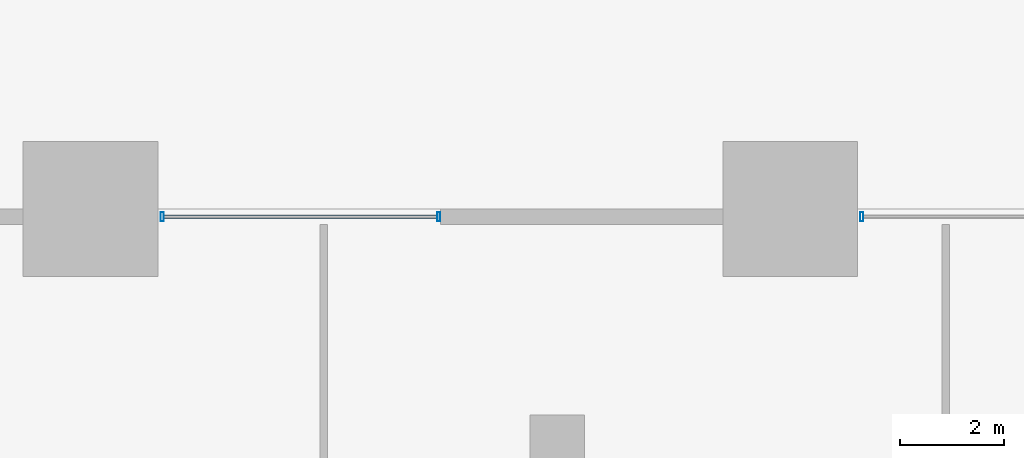
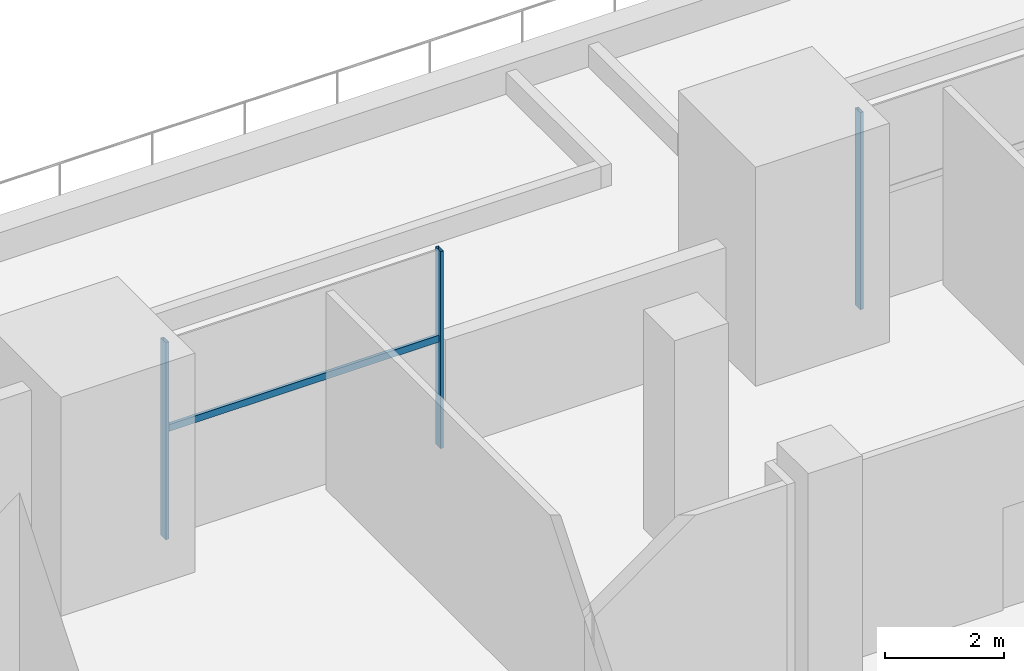
# One storey, part 6 of 26: 4 members, 2 elements without a shape of their own.
"""IFC4 building model written with IfcOpenShell, lengths in metres."""

import ifcopenshell
import ifcopenshell.guid

model = None  # the IFC model being written
_history = None  # IfcOwnerHistory: only IFC2X3 demands one
_inside = {}  # id of a spatial element -> (the spatial element, [elements in it])
_under = {}  # id of a project, library or spatial element -> (it, [spatial elements below it])
_declared = {}  # id of a project -> (the project, [libraries it declares])
_typed = {}  # id of a type object -> (the type object, [elements of that type])
_made_of = {}  # id of a material, layer set ... -> (it, [elements and type objects made of it])


def new_model(schema):
    """Start an empty IFC model of exactly this schema.

    Asked for "IFC4X3", IfcOpenShell would pick the latest addendum, in which some entities
    have other attributes; the version numbers below select the first issue.
    IFC2X3 requires an IfcOwnerHistory on every rooted entity: one is made here for all.
    """
    global model, _history
    if schema == "IFC4X3":
        model = ifcopenshell.file(schema_version=(4, 3, 0, 0))
    else:
        model = ifcopenshell.file(schema=schema)
    _inside.clear()
    _under.clear()
    _declared.clear()
    _typed.clear()
    _made_of.clear()
    _history = None
    if model.schema == "IFC2X3":
        org = make("IfcOrganization", Name="unknown")
        user = make(
            "IfcPersonAndOrganization",
            ThePerson=make("IfcPerson", FamilyName="unknown"),
            TheOrganization=org,
        )
        app = make(
            "IfcApplication",
            ApplicationDeveloper=org,
            Version="unknown",
            ApplicationFullName="unknown",
            ApplicationIdentifier="unknown",
        )
        _history = make(
            "IfcOwnerHistory",
            OwningUser=user,
            OwningApplication=app,
            ChangeAction="ADDED",
            CreationDate=0,
        )
    return model


def make(cls, **values):
    """One entity of the class cls with the attributes given. An attribute that is None is left unset."""
    return model.create_entity(
        cls, **{name: value for name, value in values.items() if value is not None}
    )


def rooted(cls, **values):
    """An entity with a GlobalId (a new one), such as an element, a storey or a relation."""
    return make(cls, GlobalId=ifcopenshell.guid.new(), OwnerHistory=_history, **values)


def si_unit(unit_type, name, prefix=None):
    """IfcSIUnit, for example si_unit("LENGTHUNIT", "METRE", prefix="MILLI")."""
    return make("IfcSIUnit", UnitType=unit_type, Prefix=prefix, Name=name)


def assignment(units):
    """IfcUnitAssignment: the units of a project."""
    return None if units is None else make("IfcUnitAssignment", Units=units)


def point(xyz):
    """IfcCartesianPoint."""
    return None if xyz is None else make("IfcCartesianPoint", Coordinates=xyz)


def direction(xyz):
    """IfcDirection."""
    return None if xyz is None else make("IfcDirection", DirectionRatios=xyz)


def frame(location, z_axis=None, x_axis=None):
    """IfcAxis2Placement3D, a coordinate frame: its origin and axes. An axis left out is left unset."""
    return make(
        "IfcAxis2Placement3D",
        Location=point(location),
        Axis=direction(z_axis),
        RefDirection=direction(x_axis),
    )


def frame_2d(location, x_axis=None):
    """IfcAxis2Placement2D, a coordinate frame in the plane: its origin and x axis."""
    return make(
        "IfcAxis2Placement2D", Location=point(location), RefDirection=direction(x_axis)
    )


def origin():
    """The frame at (0, 0, 0) with its axes left unset."""
    return frame((0.0, 0.0, 0.0))


def origin_2d():
    """The frame at (0, 0) in the plane with its x axis left unset."""
    return frame_2d((0.0, 0.0))


def place(relative_to, where):
    """IfcLocalPlacement: puts the frame where relative to a parent placement (None: the world)."""
    return make(
        "IfcLocalPlacement", PlacementRelTo=relative_to, RelativePlacement=where
    )


def context(
    kind, dimensions, precision=None, world=None, true_north=None, identifier=None
):
    """IfcGeometricRepresentationContext, for example the 3D "Model" context."""
    return make(
        "IfcGeometricRepresentationContext",
        ContextIdentifier=identifier,
        ContextType=kind,
        CoordinateSpaceDimension=dimensions,
        Precision=precision,
        WorldCoordinateSystem=world,
        TrueNorth=true_north,
    )


def subcontext(parent, identifier, kind, view, scale=None):
    """IfcGeometricRepresentationSubContext, for example "Body" below "Model"."""
    return make(
        "IfcGeometricRepresentationSubContext",
        ContextIdentifier=identifier,
        ContextType=kind,
        ParentContext=parent,
        TargetScale=scale,
        TargetView=view,
    )


def project(units=None, contexts=None):
    """IfcProject with its units and contexts."""
    return rooted(
        "IfcProject",
        Name="project",
        RepresentationContexts=contexts,
        UnitsInContext=assignment(units),
    )


def spatial(cls, under=None, at=None, **own):
    """A site, building, storey or space (cls), placed at a placement, below another one or the project."""
    s = rooted(cls, ObjectPlacement=at, **own)
    if under is not None:
        _under.setdefault(under.id(), (under, []))[1].append(s)
    return s


def profile(cls, at=None, kind="AREA", **sizes):
    """A parametric profile (cls). Its sizes go by their IFC names, for example OverallWidth=200.0."""
    return make(cls, ProfileType=kind, Position=at, **sizes)


def hollow_rectangle(**sizes):
    """IfcRectangleHollowProfileDef."""
    return profile("IfcRectangleHollowProfileDef", **sizes)


def extrude(swept, where, along, depth):
    """IfcExtrudedAreaSolid: the profile swept, set in the frame where, extruded along a direction by depth."""
    return make(
        "IfcExtrudedAreaSolid",
        SweptArea=swept,
        Position=where,
        ExtrudedDirection=direction(along),
        Depth=depth,
    )


def shape(context_of_items, identifier, shape_type, items):
    """IfcShapeRepresentation: the items that make up one representation, for example the "Body"."""
    return make(
        "IfcShapeRepresentation",
        ContextOfItems=context_of_items,
        RepresentationIdentifier=identifier,
        RepresentationType=shape_type,
        Items=items,
    )


def material(Name=None, Category=None):
    """IfcMaterial."""
    return make("IfcMaterial", Name=Name, Category=Category)


def material_profile(
    of_material, cross_section, Name=None, Category=None, Priority=None
):
    """IfcMaterialProfile: a cross section and its material."""
    return make(
        "IfcMaterialProfile",
        Name=Name,
        Material=of_material,
        Profile=cross_section,
        Priority=Priority,
        Category=Category,
    )


def profile_set(profiles, Name=None, composite=None):
    """IfcMaterialProfileSet."""
    return make(
        "IfcMaterialProfileSet",
        Name=Name,
        MaterialProfiles=profiles,
        CompositeProfile=composite,
    )


def made_of(thing, what):
    """Note that an element or type object is made of a material, layer set ...; save() writes the relation."""
    if what is not None:
        _made_of.setdefault(what.id(), (what, []))[1].append(thing)
    return thing


def type_object(cls, material=None, **own):
    """A type object (cls), such as IfcWallType, which elements share."""
    return made_of(rooted(cls, **own), material)


def element(
    cls,
    number,
    at=None,
    inside=None,
    cuts=None,
    type_object=None,
    material=None,
    context=None,
    identifier="Body",
    shape_type=None,
    held_by="IfcProductDefinitionShape",
    body=None,
    shapes=None,
    **own,
):
    """One element of the class cls, such as IfcWall. Its Tag is "e" and its number.

    at: its placement. inside: the storey or other place that contains it. cuts: it is an
    opening in that element (IfcRelVoidsElement). A single representation is given by context,
    identifier, shape_type and body (its items); several are given by shapes. held_by: the class
    of the entity that holds the representations. save() writes the other relations.
    """
    e = rooted(cls, Tag="e%d" % number, ObjectPlacement=at, **own)
    if body is not None:
        shapes = [shape(context, identifier, shape_type, body)]
    if shapes is not None:
        e.Representation = make(held_by, Representations=shapes)
    if inside is not None:
        _inside.setdefault(inside.id(), (inside, []))[1].append(e)
    if cuts is not None:
        rooted(
            "IfcRelVoidsElement", RelatingBuildingElement=cuts, RelatedOpeningElement=e
        )
    if type_object is not None:
        _typed.setdefault(type_object.id(), (type_object, []))[1].append(e)
    return made_of(e, material)


def aggregate(whole, parts):
    """IfcRelAggregates: a whole, such as a stair, and the parts it consists of."""
    return rooted("IfcRelAggregates", RelatingObject=whole, RelatedObjects=parts)


def save(model, path):
    """Write the relations noted so far, then the file.

    IfcRelAggregates (storeys below a building ...), IfcRelContainedInSpatialStructure (elements
    in a storey), IfcRelDefinesByType, IfcRelAssociatesMaterial and IfcRelDeclares: one each for
    every whole, place, type object, material and project.
    """
    for whole, parts in _under.values():
        aggregate(whole, parts)
    for where, things in _inside.values():
        rooted(
            "IfcRelContainedInSpatialStructure",
            RelatedElements=things,
            RelatingStructure=where,
        )
    for kind, things in _typed.values():
        rooted("IfcRelDefinesByType", RelatedObjects=things, RelatingType=kind)
    for what, things in _made_of.values():
        rooted("IfcRelAssociatesMaterial", RelatedObjects=things, RelatingMaterial=what)
    for by, libraries in _declared.values():
        rooted("IfcRelDeclares", RelatingContext=by, RelatedDefinitions=libraries)
    model.write(path)


model = new_model("IFC4")

# Units and contexts
model_context = context("Model", 3, precision=1e-05, world=origin(), true_north=direction((0.0, 1.0)))
body_context = subcontext(model_context, "Body", "Model", "MODEL_VIEW")
ifc_project = project(units=[si_unit("LENGTHUNIT", "METRE"), si_unit("AREAUNIT", "SQUARE_METRE"), si_unit("VOLUMEUNIT", "CUBIC_METRE"), si_unit("PLANEANGLEUNIT", "RADIAN"), si_unit("MASSUNIT", "GRAM", prefix="KILO")], contexts=[model_context])

# Site, building, storey
site_placement = place(None, origin())
site = spatial("IfcSite", under=ifc_project, at=site_placement, CompositionType="ELEMENT")
building_placement = place(site_placement, origin())
building = spatial("IfcBuilding", under=site, at=building_placement, Name="Altepetl Exchange Towers", CompositionType="ELEMENT")
storey_placement = place(building_placement, frame((0.0, 0.0, 16.5)))
storey = spatial("IfcBuildingStorey", under=building, at=storey_placement, Name="L03 Podium terrace", CompositionType="ELEMENT", Elevation=16.5)

# Curtain wall, member
ifc_material_1 = material(Name="Aluminium 6063-T6 glazing", Category="aluminium")
curtain_wall_type = type_object("IfcCurtainWallType", Name="Podium storefront system", PredefinedType="NOTDEFINED", material=ifc_material_1)
curtain_wall_1_placement = place(storey_placement, origin())
curtain_wall_1 = element("IfcCurtainWall", 1, at=curtain_wall_1_placement, inside=storey, type_object=curtain_wall_type, Name="CW5 run", PredefinedType="NOTDEFINED")
ifc_material_2 = material(Name="Aluminium 6063-T6", Category="aluminium")
ifc_material_profile_1 = material_profile(ifc_material_2, hollow_rectangle(XDim=0.06005859375, YDim=0.175048828125, WallThickness=0.0029296875, at=origin_2d()), Name="Mullion 60x175 aluminium")
ifc_profile_set_1 = profile_set([ifc_material_profile_1], Name="Aluminium 6063-T6")
member_type_1 = type_object("IfcMemberType", Name="Mullion 60x175 aluminium", PredefinedType="MULLION", material=ifc_profile_set_1)
member_1_placement = place(storey_placement, frame((46.3798828125, 71.85009765625, 0.0), z_axis=(0.0, 0.0, 1.0), x_axis=(-1.0, 0.0, 0.0)))
member_1 = element("IfcMember", 2, at=member_1_placement, type_object=member_type_1, Name="MU4 mullion", PredefinedType="MULLION", context=body_context, shape_type="SweptSolid", body=[
    extrude(hollow_rectangle(XDim=0.06005859375, YDim=0.175048828125, WallThickness=0.0029296875, at=origin_2d()), origin(), (0.0, 0.0, 1.0), 4.050048828125),
])
aggregate(curtain_wall_1, [member_1])

# Curtain wall, members
curtain_wall_2_placement = place(storey_placement, origin())
curtain_wall_2 = element("IfcCurtainWall", 3, at=curtain_wall_2_placement, inside=storey, type_object=curtain_wall_type, Name="CW5 run", PredefinedType="NOTDEFINED")
member_2_placement = place(storey_placement, frame((38.219970703125, 71.85009765625, 0.0), z_axis=(0.0, 0.0, 1.0), x_axis=(-1.0, 0.0, 0.0)))
member_2 = element("IfcMember", 4, at=member_2_placement, type_object=member_type_1, Name="MU4 mullion", PredefinedType="MULLION", context=body_context, shape_type="SweptSolid", body=[
    extrude(hollow_rectangle(XDim=0.06005859375, YDim=0.175048828125, WallThickness=0.0029296875, at=origin_2d()), origin(), (0.0, 0.0, 1.0), 4.050048828125),
])
member_3_placement = place(storey_placement, frame((32.8798828125, 71.85009765625, 0.0), z_axis=(0.0, 0.0, 1.0), x_axis=(-1.0, 0.0, 0.0)))
member_3 = element("IfcMember", 5, at=member_3_placement, type_object=member_type_1, Name="MU4 mullion", PredefinedType="MULLION", context=body_context, shape_type="SweptSolid", body=[
    extrude(hollow_rectangle(XDim=0.06005859375, YDim=0.175048828125, WallThickness=0.0029296875, at=origin_2d()), origin(), (0.0, 0.0, 1.0), 4.050048828125),
])
ifc_material_profile_2 = material_profile(ifc_material_2, hollow_rectangle(XDim=0.06005859375, YDim=0.139892578125, WallThickness=0.0029296875, at=origin_2d()), Name="Transom 60x140 aluminium")
ifc_profile_set_2 = profile_set([ifc_material_profile_2], Name="Aluminium 6063-T6")
member_type_2 = type_object("IfcMemberType", Name="Transom 60x140 aluminium", PredefinedType="USERDEFINED", material=ifc_profile_set_2)
member_4_placement = place(storey_placement, frame((38.18994140625, 71.85009765625, 2.22998046875), z_axis=(-1.0, 0.0, 0.0), x_axis=(0.0, -1.0, 0.0)))
member_4 = element("IfcMember", 6, at=member_4_placement, type_object=member_type_2, Name="TR3 transom", ObjectType="TRANSOM", PredefinedType="USERDEFINED", context=body_context, shape_type="SweptSolid", body=[
    extrude(hollow_rectangle(XDim=0.06005859375, YDim=0.139892578125, WallThickness=0.0029296875, at=origin_2d()), origin(), (0.0, 0.0, 1.0), 5.280029296875),
])
aggregate(curtain_wall_2, [member_2, member_3, member_4])

save(model, "model.ifc")
